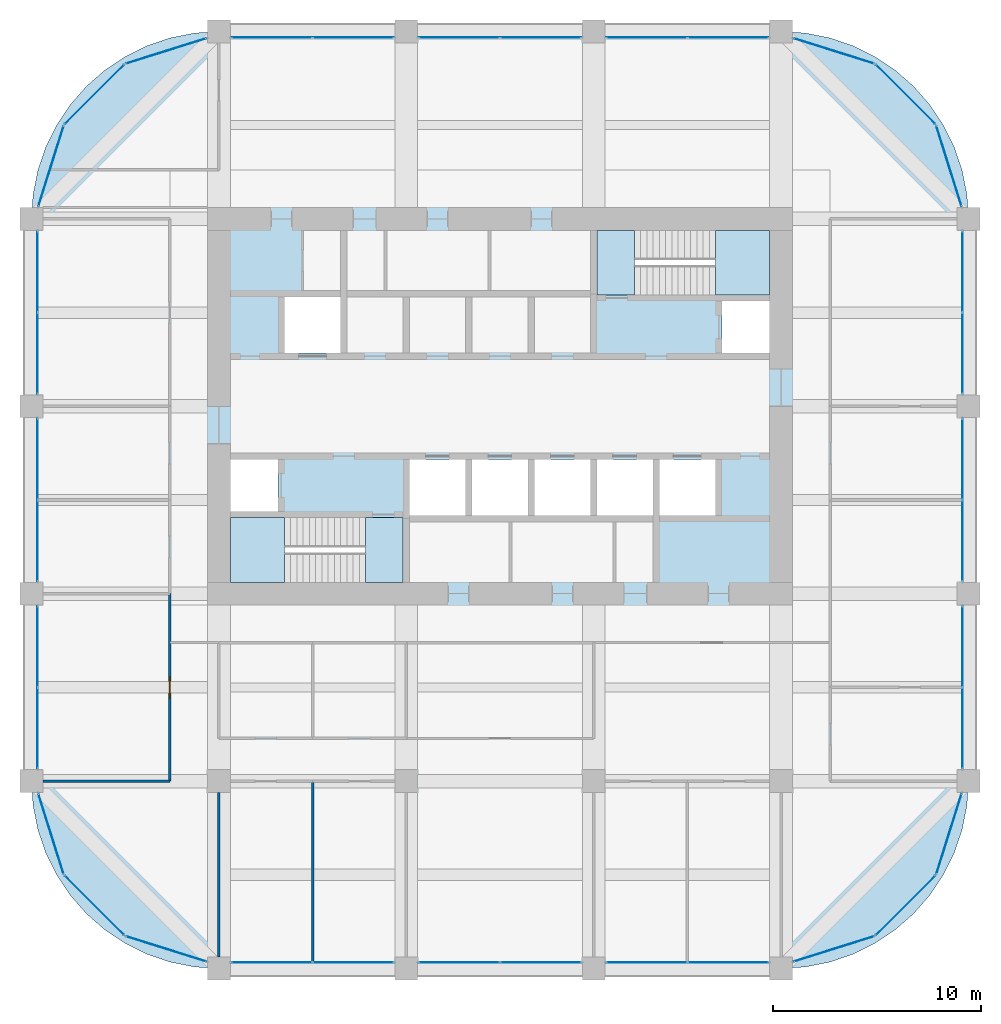
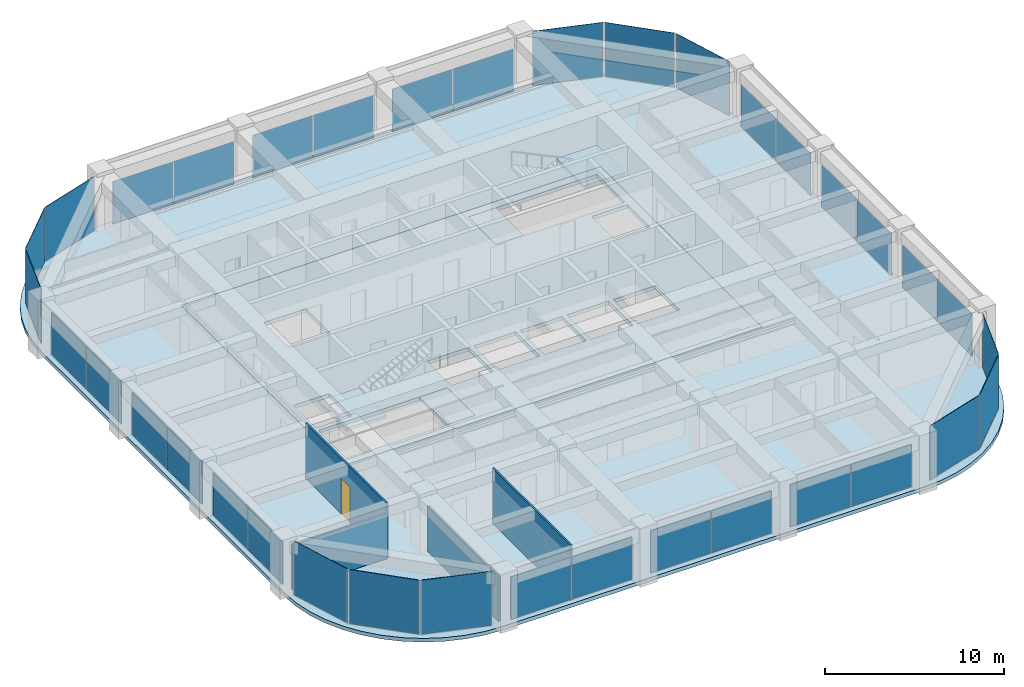
# One storey, part 40 of 45: 36 plates, 6 slabs, 4 walls, 1 door, 1 opening, 26 elements without a shape of their own.
"""IFC4 building model written with IfcOpenShell, lengths in metres."""

from ifc_helpers import new_model, si_unit, direction, frame, frame_2d, origin, origin_2d, place, context, subcontext, project, spatial, polyline, rectangle, outline, extrude, material, layer, layer_set, type_object, element, fill, aggregate, save


model = new_model("IFC4")

# Units and contexts
model_context = context("Model", 3, precision=1e-05, world=origin(), true_north=direction((0.0, 1.0)))
body_context = subcontext(model_context, "Body", "Model", "MODEL_VIEW")
ifc_project = project(units=[si_unit("LENGTHUNIT", "METRE"), si_unit("AREAUNIT", "SQUARE_METRE"), si_unit("VOLUMEUNIT", "CUBIC_METRE"), si_unit("PLANEANGLEUNIT", "RADIAN"), si_unit("MASSUNIT", "GRAM", prefix="KILO")], contexts=[model_context])

# Site, building, storey
site_placement = place(None, origin())
site = spatial("IfcSite", under=ifc_project, at=site_placement, CompositionType="ELEMENT")
building_placement = place(site_placement, origin())
building = spatial("IfcBuilding", under=site, at=building_placement, Name="Zorevar Civic Tower", CompositionType="ELEMENT")
storey_placement = place(building_placement, frame((0.0, 0.0, 303.39990234375)))
storey = spatial("IfcBuildingStorey", under=building, at=storey_placement, Name="L74", CompositionType="ELEMENT", Elevation=303.39990234375)

# Curtain wall, plates
ifc_material_1 = material(Name="Dark grey solar-control glass in black aluminium frame", Category="aluminium")
curtain_wall_type = type_object("IfcCurtainWallType", Name="Curtain wall CW5 top zone", PredefinedType="NOTDEFINED", material=ifc_material_1)
curtain_wall_1_placement = place(storey_placement, origin())
curtain_wall_1 = element("IfcCurtainWall", 1, at=curtain_wall_1_placement, inside=storey, type_object=curtain_wall_type, Name="CW5 L74", PredefinedType="NOTDEFINED")
ifc_material_2 = material(Name="Dark grey solar-control glass", Category="glass")
ifc_layer_1 = layer(ifc_material_2, 0.028076171875)
ifc_layer_set_1 = layer_set([ifc_layer_1], Name="CW5 panel 28")
plate_type = type_object("IfcPlateType", Name="CW5 panel 28", PredefinedType="CURTAIN_PANEL", material=ifc_layer_set_1)
plate_1_placement = place(storey_placement, frame((20.5400390625, 0.300048828125, 0.06005859375), z_axis=(0.0, 0.0, 1.0), x_axis=(1.0, 0.0, 0.0)))
plate_1 = element("IfcPlate", 2, at=plate_1_placement, type_object=plate_type, Name="CW5 panel 1.1", PredefinedType="CURTAIN_PANEL", context=body_context, shape_type="SweptSolid", body=[
    extrude(rectangle(XDim=3.860107421875, YDim=0.028076171875, at=origin_2d()), origin(), (0.0, 0.0, 1.0), 2.889892578125),
])
plate_2_placement = place(storey_placement, frame((24.4599609375, 0.300048828125, 0.06005859375), z_axis=(0.0, 0.0, 1.0), x_axis=(1.0, 0.0, 0.0)))
plate_2 = element("IfcPlate", 3, at=plate_2_placement, type_object=plate_type, Name="CW5 panel 2.1", PredefinedType="CURTAIN_PANEL", context=body_context, shape_type="SweptSolid", body=[
    extrude(rectangle(XDim=3.860107421875, YDim=0.028076171875, at=origin_2d()), origin(), (0.0, 0.0, 1.0), 2.889892578125),
])
aggregate(curtain_wall_1, [plate_1, plate_2])

curtain_wall_2_placement = place(storey_placement, origin())
curtain_wall_2 = element("IfcCurtainWall", 4, at=curtain_wall_2_placement, inside=storey, type_object=curtain_wall_type, Name="CW5 L74", PredefinedType="NOTDEFINED")
plate_3_placement = place(storey_placement, frame((20.5400390625, 44.699951171875, 0.06005859375), z_axis=(0.0, 0.0, 1.0), x_axis=(1.0, 0.0, 0.0)))
plate_3 = element("IfcPlate", 5, at=plate_3_placement, type_object=plate_type, Name="CW5 panel 1.1", PredefinedType="CURTAIN_PANEL", context=body_context, shape_type="SweptSolid", body=[
    extrude(rectangle(XDim=3.860107421875, YDim=0.028076171875, at=origin_2d()), origin(), (0.0, 0.0, 1.0), 2.889892578125),
])
plate_4_placement = place(storey_placement, frame((24.4599609375, 44.699951171875, 0.06005859375), z_axis=(0.0, 0.0, 1.0), x_axis=(1.0, 0.0, 0.0)))
plate_4 = element("IfcPlate", 6, at=plate_4_placement, type_object=plate_type, Name="CW5 panel 2.1", PredefinedType="CURTAIN_PANEL", context=body_context, shape_type="SweptSolid", body=[
    extrude(rectangle(XDim=3.860107421875, YDim=0.028076171875, at=origin_2d()), origin(), (0.0, 0.0, 1.0), 2.889892578125),
])
aggregate(curtain_wall_2, [plate_3, plate_4])

curtain_wall_3_placement = place(storey_placement, origin())
curtain_wall_3 = element("IfcCurtainWall", 7, at=curtain_wall_3_placement, inside=storey, type_object=curtain_wall_type, Name="CW5 L74", PredefinedType="NOTDEFINED")
plate_5_placement = place(storey_placement, frame((29.5400390625, 0.300048828125, 0.06005859375), z_axis=(0.0, 0.0, 1.0), x_axis=(1.0, 0.0, 0.0)))
plate_5 = element("IfcPlate", 8, at=plate_5_placement, type_object=plate_type, Name="CW5 panel 1.1", PredefinedType="CURTAIN_PANEL", context=body_context, shape_type="SweptSolid", body=[
    extrude(rectangle(XDim=3.860107421875, YDim=0.028076171875, at=origin_2d()), origin(), (0.0, 0.0, 1.0), 2.889892578125),
])
plate_6_placement = place(storey_placement, frame((33.4599609375, 0.300048828125, 0.06005859375), z_axis=(0.0, 0.0, 1.0), x_axis=(1.0, 0.0, 0.0)))
plate_6 = element("IfcPlate", 9, at=plate_6_placement, type_object=plate_type, Name="CW5 panel 2.1", PredefinedType="CURTAIN_PANEL", context=body_context, shape_type="SweptSolid", body=[
    extrude(rectangle(XDim=3.860107421875, YDim=0.028076171875, at=origin_2d()), origin(), (0.0, 0.0, 1.0), 2.889892578125),
])
aggregate(curtain_wall_3, [plate_5, plate_6])

curtain_wall_4_placement = place(storey_placement, origin())
curtain_wall_4 = element("IfcCurtainWall", 10, at=curtain_wall_4_placement, inside=storey, type_object=curtain_wall_type, Name="CW5 L74", PredefinedType="NOTDEFINED")
plate_7_placement = place(storey_placement, frame((29.5400390625, 44.699951171875, 0.06005859375), z_axis=(0.0, 0.0, 1.0), x_axis=(1.0, 0.0, 0.0)))
plate_7 = element("IfcPlate", 11, at=plate_7_placement, type_object=plate_type, Name="CW5 panel 1.1", PredefinedType="CURTAIN_PANEL", context=body_context, shape_type="SweptSolid", body=[
    extrude(rectangle(XDim=3.860107421875, YDim=0.028076171875, at=origin_2d()), origin(), (0.0, 0.0, 1.0), 2.889892578125),
])
plate_8_placement = place(storey_placement, frame((33.4599609375, 44.699951171875, 0.06005859375), z_axis=(0.0, 0.0, 1.0), x_axis=(1.0, 0.0, 0.0)))
plate_8 = element("IfcPlate", 12, at=plate_8_placement, type_object=plate_type, Name="CW5 panel 2.1", PredefinedType="CURTAIN_PANEL", context=body_context, shape_type="SweptSolid", body=[
    extrude(rectangle(XDim=3.860107421875, YDim=0.028076171875, at=origin_2d()), origin(), (0.0, 0.0, 1.0), 2.889892578125),
])
aggregate(curtain_wall_4, [plate_7, plate_8])

curtain_wall_5_placement = place(storey_placement, origin())
curtain_wall_5 = element("IfcCurtainWall", 13, at=curtain_wall_5_placement, inside=storey, type_object=curtain_wall_type, Name="CW5 L74", PredefinedType="NOTDEFINED")
plate_9_placement = place(storey_placement, frame((38.5400390625, 0.300048828125, 0.06005859375), z_axis=(0.0, 0.0, 1.0), x_axis=(1.0, 0.0, 0.0)))
plate_9 = element("IfcPlate", 14, at=plate_9_placement, type_object=plate_type, Name="CW5 panel 1.1", PredefinedType="CURTAIN_PANEL", context=body_context, shape_type="SweptSolid", body=[
    extrude(rectangle(XDim=3.860107421875, YDim=0.028076171875, at=origin_2d()), origin(), (0.0, 0.0, 1.0), 2.889892578125),
])
plate_10_placement = place(storey_placement, frame((42.4599609375, 0.300048828125, 0.06005859375), z_axis=(0.0, 0.0, 1.0), x_axis=(1.0, 0.0, 0.0)))
plate_10 = element("IfcPlate", 15, at=plate_10_placement, type_object=plate_type, Name="CW5 panel 2.1", PredefinedType="CURTAIN_PANEL", context=body_context, shape_type="SweptSolid", body=[
    extrude(rectangle(XDim=3.860107421875, YDim=0.028076171875, at=origin_2d()), origin(), (0.0, 0.0, 1.0), 2.889892578125),
])
aggregate(curtain_wall_5, [plate_9, plate_10])

curtain_wall_6_placement = place(storey_placement, origin())
curtain_wall_6 = element("IfcCurtainWall", 16, at=curtain_wall_6_placement, inside=storey, type_object=curtain_wall_type, Name="CW5 L74", PredefinedType="NOTDEFINED")
plate_11_placement = place(storey_placement, frame((38.5400390625, 44.699951171875, 0.06005859375), z_axis=(0.0, 0.0, 1.0), x_axis=(1.0, 0.0, 0.0)))
plate_11 = element("IfcPlate", 17, at=plate_11_placement, type_object=plate_type, Name="CW5 panel 1.1", PredefinedType="CURTAIN_PANEL", context=body_context, shape_type="SweptSolid", body=[
    extrude(rectangle(XDim=3.860107421875, YDim=0.028076171875, at=origin_2d()), origin(), (0.0, 0.0, 1.0), 2.889892578125),
])
plate_12_placement = place(storey_placement, frame((42.4599609375, 44.699951171875, 0.06005859375), z_axis=(0.0, 0.0, 1.0), x_axis=(1.0, 0.0, 0.0)))
plate_12 = element("IfcPlate", 18, at=plate_12_placement, type_object=plate_type, Name="CW5 panel 2.1", PredefinedType="CURTAIN_PANEL", context=body_context, shape_type="SweptSolid", body=[
    extrude(rectangle(XDim=3.860107421875, YDim=0.028076171875, at=origin_2d()), origin(), (0.0, 0.0, 1.0), 2.889892578125),
])
aggregate(curtain_wall_6, [plate_11, plate_12])

curtain_wall_7_placement = place(storey_placement, origin())
curtain_wall_7 = element("IfcCurtainWall", 19, at=curtain_wall_7_placement, inside=storey, type_object=curtain_wall_type, Name="CW5 L74", PredefinedType="NOTDEFINED")
plate_13_placement = place(storey_placement, frame((9.300048828125, 11.5400390625, 0.06005859375), z_axis=(0.0, 0.0, 1.0), x_axis=(0.0, 1.0, 0.0)))
plate_13 = element("IfcPlate", 20, at=plate_13_placement, type_object=plate_type, Name="CW5 panel 1.1", PredefinedType="CURTAIN_PANEL", context=body_context, shape_type="SweptSolid", body=[
    extrude(rectangle(XDim=3.860107421875, YDim=0.028076171875, at=origin_2d()), origin(), (0.0, 0.0, 1.0), 2.889892578125),
])
plate_14_placement = place(storey_placement, frame((9.300048828125, 15.4599609375, 0.06005859375), z_axis=(0.0, 0.0, 1.0), x_axis=(0.0, 1.0, 0.0)))
plate_14 = element("IfcPlate", 21, at=plate_14_placement, type_object=plate_type, Name="CW5 panel 2.1", PredefinedType="CURTAIN_PANEL", context=body_context, shape_type="SweptSolid", body=[
    extrude(rectangle(XDim=3.860107421875, YDim=0.028076171875, at=origin_2d()), origin(), (0.0, 0.0, 1.0), 2.889892578125),
])
aggregate(curtain_wall_7, [plate_13, plate_14])

curtain_wall_8_placement = place(storey_placement, origin())
curtain_wall_8 = element("IfcCurtainWall", 22, at=curtain_wall_8_placement, inside=storey, type_object=curtain_wall_type, Name="CW5 L74", PredefinedType="NOTDEFINED")
plate_15_placement = place(storey_placement, frame((53.699951171875, 11.5400390625, 0.06005859375), z_axis=(0.0, 0.0, 1.0), x_axis=(0.0, 1.0, 0.0)))
plate_15 = element("IfcPlate", 23, at=plate_15_placement, type_object=plate_type, Name="CW5 panel 1.1", PredefinedType="CURTAIN_PANEL", context=body_context, shape_type="SweptSolid", body=[
    extrude(rectangle(XDim=3.860107421875, YDim=0.028076171875, at=origin_2d()), origin(), (0.0, 0.0, 1.0), 2.889892578125),
])
plate_16_placement = place(storey_placement, frame((53.699951171875, 15.4599609375, 0.06005859375), z_axis=(0.0, 0.0, 1.0), x_axis=(0.0, 1.0, 0.0)))
plate_16 = element("IfcPlate", 24, at=plate_16_placement, type_object=plate_type, Name="CW5 panel 2.1", PredefinedType="CURTAIN_PANEL", context=body_context, shape_type="SweptSolid", body=[
    extrude(rectangle(XDim=3.860107421875, YDim=0.028076171875, at=origin_2d()), origin(), (0.0, 0.0, 1.0), 2.889892578125),
])
aggregate(curtain_wall_8, [plate_15, plate_16])

curtain_wall_9_placement = place(storey_placement, origin())
curtain_wall_9 = element("IfcCurtainWall", 25, at=curtain_wall_9_placement, inside=storey, type_object=curtain_wall_type, Name="CW5 L74", PredefinedType="NOTDEFINED")
plate_17_placement = place(storey_placement, frame((9.300048828125, 20.5400390625, 0.06005859375), z_axis=(0.0, 0.0, 1.0), x_axis=(0.0, 1.0, 0.0)))
plate_17 = element("IfcPlate", 26, at=plate_17_placement, type_object=plate_type, Name="CW5 panel 1.1", PredefinedType="CURTAIN_PANEL", context=body_context, shape_type="SweptSolid", body=[
    extrude(rectangle(XDim=3.860107421875, YDim=0.028076171875, at=origin_2d()), origin(), (0.0, 0.0, 1.0), 2.889892578125),
])
plate_18_placement = place(storey_placement, frame((9.300048828125, 24.4599609375, 0.06005859375), z_axis=(0.0, 0.0, 1.0), x_axis=(0.0, 1.0, 0.0)))
plate_18 = element("IfcPlate", 27, at=plate_18_placement, type_object=plate_type, Name="CW5 panel 2.1", PredefinedType="CURTAIN_PANEL", context=body_context, shape_type="SweptSolid", body=[
    extrude(rectangle(XDim=3.860107421875, YDim=0.028076171875, at=origin_2d()), origin(), (0.0, 0.0, 1.0), 2.889892578125),
])
aggregate(curtain_wall_9, [plate_17, plate_18])

curtain_wall_10_placement = place(storey_placement, origin())
curtain_wall_10 = element("IfcCurtainWall", 28, at=curtain_wall_10_placement, inside=storey, type_object=curtain_wall_type, Name="CW5 L74", PredefinedType="NOTDEFINED")
plate_19_placement = place(storey_placement, frame((53.699951171875, 20.5400390625, 0.06005859375), z_axis=(0.0, 0.0, 1.0), x_axis=(0.0, 1.0, 0.0)))
plate_19 = element("IfcPlate", 29, at=plate_19_placement, type_object=plate_type, Name="CW5 panel 1.1", PredefinedType="CURTAIN_PANEL", context=body_context, shape_type="SweptSolid", body=[
    extrude(rectangle(XDim=3.860107421875, YDim=0.028076171875, at=origin_2d()), origin(), (0.0, 0.0, 1.0), 2.889892578125),
])
plate_20_placement = place(storey_placement, frame((53.699951171875, 24.4599609375, 0.06005859375), z_axis=(0.0, 0.0, 1.0), x_axis=(0.0, 1.0, 0.0)))
plate_20 = element("IfcPlate", 30, at=plate_20_placement, type_object=plate_type, Name="CW5 panel 2.1", PredefinedType="CURTAIN_PANEL", context=body_context, shape_type="SweptSolid", body=[
    extrude(rectangle(XDim=3.860107421875, YDim=0.028076171875, at=origin_2d()), origin(), (0.0, 0.0, 1.0), 2.889892578125),
])
aggregate(curtain_wall_10, [plate_19, plate_20])

curtain_wall_11_placement = place(storey_placement, origin())
curtain_wall_11 = element("IfcCurtainWall", 31, at=curtain_wall_11_placement, inside=storey, type_object=curtain_wall_type, Name="CW5 L74", PredefinedType="NOTDEFINED")
plate_21_placement = place(storey_placement, frame((9.300048828125, 29.5400390625, 0.06005859375), z_axis=(0.0, 0.0, 1.0), x_axis=(0.0, 1.0, 0.0)))
plate_21 = element("IfcPlate", 32, at=plate_21_placement, type_object=plate_type, Name="CW5 panel 1.1", PredefinedType="CURTAIN_PANEL", context=body_context, shape_type="SweptSolid", body=[
    extrude(rectangle(XDim=3.860107421875, YDim=0.028076171875, at=origin_2d()), origin(), (0.0, 0.0, 1.0), 2.889892578125),
])
plate_22_placement = place(storey_placement, frame((9.300048828125, 33.4599609375, 0.06005859375), z_axis=(0.0, 0.0, 1.0), x_axis=(0.0, 1.0, 0.0)))
plate_22 = element("IfcPlate", 33, at=plate_22_placement, type_object=plate_type, Name="CW5 panel 2.1", PredefinedType="CURTAIN_PANEL", context=body_context, shape_type="SweptSolid", body=[
    extrude(rectangle(XDim=3.860107421875, YDim=0.028076171875, at=origin_2d()), origin(), (0.0, 0.0, 1.0), 2.889892578125),
])
aggregate(curtain_wall_11, [plate_21, plate_22])

curtain_wall_12_placement = place(storey_placement, origin())
curtain_wall_12 = element("IfcCurtainWall", 34, at=curtain_wall_12_placement, inside=storey, type_object=curtain_wall_type, Name="CW5 L74", PredefinedType="NOTDEFINED")
plate_23_placement = place(storey_placement, frame((53.699951171875, 29.5400390625, 0.06005859375), z_axis=(0.0, 0.0, 1.0), x_axis=(0.0, 1.0, 0.0)))
plate_23 = element("IfcPlate", 35, at=plate_23_placement, type_object=plate_type, Name="CW5 panel 1.1", PredefinedType="CURTAIN_PANEL", context=body_context, shape_type="SweptSolid", body=[
    extrude(rectangle(XDim=3.860107421875, YDim=0.028076171875, at=origin_2d()), origin(), (0.0, 0.0, 1.0), 2.889892578125),
])
plate_24_placement = place(storey_placement, frame((53.699951171875, 33.4599609375, 0.06005859375), z_axis=(0.0, 0.0, 1.0), x_axis=(0.0, 1.0, 0.0)))
plate_24 = element("IfcPlate", 36, at=plate_24_placement, type_object=plate_type, Name="CW5 panel 2.1", PredefinedType="CURTAIN_PANEL", context=body_context, shape_type="SweptSolid", body=[
    extrude(rectangle(XDim=3.860107421875, YDim=0.028076171875, at=origin_2d()), origin(), (0.0, 0.0, 1.0), 2.889892578125),
])
aggregate(curtain_wall_12, [plate_23, plate_24])

# Curtain wall, plate
curtain_wall_13_placement = place(storey_placement, origin())
curtain_wall_13 = element("IfcCurtainWall", 37, at=curtain_wall_13_placement, inside=storey, type_object=curtain_wall_type, Name="CW5 L74", PredefinedType="NOTDEFINED")
plate_25_placement = place(storey_placement, frame((47.52880859375, 0.938232421875, 0.06005859375), z_axis=(0.0, 0.0, 1.0), x_axis=(0.954153437674, 0.299317920238, 0.0)))
plate_25 = element("IfcPlate", 38, at=plate_25_placement, type_object=plate_type, Name="CW5 panel 1.1", PredefinedType="CURTAIN_PANEL", context=body_context, shape_type="SweptSolid", body=[
    extrude(rectangle(XDim=4.028076171875, YDim=0.028076171875, at=origin_2d()), origin(), (0.0, 0.0, 1.0), 3.68994140625),
])
aggregate(curtain_wall_13, [plate_25])

curtain_wall_14_placement = place(storey_placement, origin())
curtain_wall_14 = element("IfcCurtainWall", 39, at=curtain_wall_14_placement, inside=storey, type_object=curtain_wall_type, Name="CW5 L74", PredefinedType="NOTDEFINED")
plate_26_placement = place(storey_placement, frame((50.974365234375, 3.025634765625, 0.06005859375), z_axis=(0.0, 0.0, 1.0), x_axis=(0.707106781187, 0.707106781187, 0.0)))
plate_26 = element("IfcPlate", 40, at=plate_26_placement, type_object=plate_type, Name="CW5 panel 1.1", PredefinedType="CURTAIN_PANEL", context=body_context, shape_type="SweptSolid", body=[
    extrude(rectangle(XDim=4.028076171875, YDim=0.028076171875, at=origin_2d()), origin(), (0.0, 0.0, 1.0), 3.68994140625),
])
aggregate(curtain_wall_14, [plate_26])

curtain_wall_15_placement = place(storey_placement, origin())
curtain_wall_15 = element("IfcCurtainWall", 41, at=curtain_wall_15_placement, inside=storey, type_object=curtain_wall_type, Name="CW5 L74", PredefinedType="NOTDEFINED")
plate_27_placement = place(storey_placement, frame((53.061767578125, 6.47119140625, 0.06005859375), z_axis=(0.0, 0.0, 1.0), x_axis=(0.299317920238, 0.954153437674, 0.0)))
plate_27 = element("IfcPlate", 42, at=plate_27_placement, type_object=plate_type, Name="CW5 panel 1.1", PredefinedType="CURTAIN_PANEL", context=body_context, shape_type="SweptSolid", body=[
    extrude(rectangle(XDim=4.028076171875, YDim=0.028076171875, at=origin_2d()), origin(), (0.0, 0.0, 1.0), 3.68994140625),
])
aggregate(curtain_wall_15, [plate_27])

curtain_wall_16_placement = place(storey_placement, origin())
curtain_wall_16 = element("IfcCurtainWall", 43, at=curtain_wall_16_placement, inside=storey, type_object=curtain_wall_type, Name="CW5 L74", PredefinedType="NOTDEFINED")
plate_28_placement = place(storey_placement, frame((53.061767578125, 38.52880859375, 0.06005859375), z_axis=(0.0, 0.0, 1.0), x_axis=(-0.299317920238, 0.954153437674, 0.0)))
plate_28 = element("IfcPlate", 44, at=plate_28_placement, type_object=plate_type, Name="CW5 panel 1.1", PredefinedType="CURTAIN_PANEL", context=body_context, shape_type="SweptSolid", body=[
    extrude(rectangle(XDim=4.028076171875, YDim=0.028076171875, at=origin_2d()), origin(), (0.0, 0.0, 1.0), 3.68994140625),
])
aggregate(curtain_wall_16, [plate_28])

curtain_wall_17_placement = place(storey_placement, origin())
curtain_wall_17 = element("IfcCurtainWall", 45, at=curtain_wall_17_placement, inside=storey, type_object=curtain_wall_type, Name="CW5 L74", PredefinedType="NOTDEFINED")
plate_29_placement = place(storey_placement, frame((50.974365234375, 41.974365234375, 0.06005859375), z_axis=(0.0, 0.0, 1.0), x_axis=(-0.707106781187, 0.707106781187, 0.0)))
plate_29 = element("IfcPlate", 46, at=plate_29_placement, type_object=plate_type, Name="CW5 panel 1.1", PredefinedType="CURTAIN_PANEL", context=body_context, shape_type="SweptSolid", body=[
    extrude(rectangle(XDim=4.028076171875, YDim=0.028076171875, at=origin_2d()), origin(), (0.0, 0.0, 1.0), 3.68994140625),
])
aggregate(curtain_wall_17, [plate_29])

curtain_wall_18_placement = place(storey_placement, origin())
curtain_wall_18 = element("IfcCurtainWall", 47, at=curtain_wall_18_placement, inside=storey, type_object=curtain_wall_type, Name="CW5 L74", PredefinedType="NOTDEFINED")
plate_30_placement = place(storey_placement, frame((47.52880859375, 44.061767578125, 0.06005859375), z_axis=(0.0, 0.0, 1.0), x_axis=(-0.954153437674, 0.299317920238, 0.0)))
plate_30 = element("IfcPlate", 48, at=plate_30_placement, type_object=plate_type, Name="CW5 panel 1.1", PredefinedType="CURTAIN_PANEL", context=body_context, shape_type="SweptSolid", body=[
    extrude(rectangle(XDim=4.028076171875, YDim=0.028076171875, at=origin_2d()), origin(), (0.0, 0.0, 1.0), 3.68994140625),
])
aggregate(curtain_wall_18, [plate_30])

curtain_wall_19_placement = place(storey_placement, origin())
curtain_wall_19 = element("IfcCurtainWall", 49, at=curtain_wall_19_placement, inside=storey, type_object=curtain_wall_type, Name="CW5 L74", PredefinedType="NOTDEFINED")
plate_31_placement = place(storey_placement, frame((15.47119140625, 44.061767578125, 0.06005859375), z_axis=(0.0, 0.0, 1.0), x_axis=(-0.954153437674, -0.299317920238, 0.0)))
plate_31 = element("IfcPlate", 50, at=plate_31_placement, type_object=plate_type, Name="CW5 panel 1.1", PredefinedType="CURTAIN_PANEL", context=body_context, shape_type="SweptSolid", body=[
    extrude(rectangle(XDim=4.028076171875, YDim=0.028076171875, at=origin_2d()), origin(), (0.0, 0.0, 1.0), 3.68994140625),
])
aggregate(curtain_wall_19, [plate_31])

curtain_wall_20_placement = place(storey_placement, origin())
curtain_wall_20 = element("IfcCurtainWall", 51, at=curtain_wall_20_placement, inside=storey, type_object=curtain_wall_type, Name="CW5 L74", PredefinedType="NOTDEFINED")
plate_32_placement = place(storey_placement, frame((12.025634765625, 41.974365234375, 0.06005859375), z_axis=(0.0, 0.0, 1.0), x_axis=(-0.707106781187, -0.707106781187, 0.0)))
plate_32 = element("IfcPlate", 52, at=plate_32_placement, type_object=plate_type, Name="CW5 panel 1.1", PredefinedType="CURTAIN_PANEL", context=body_context, shape_type="SweptSolid", body=[
    extrude(rectangle(XDim=4.028076171875, YDim=0.028076171875, at=origin_2d()), origin(), (0.0, 0.0, 1.0), 3.68994140625),
])
aggregate(curtain_wall_20, [plate_32])

curtain_wall_21_placement = place(storey_placement, origin())
curtain_wall_21 = element("IfcCurtainWall", 53, at=curtain_wall_21_placement, inside=storey, type_object=curtain_wall_type, Name="CW5 L74", PredefinedType="NOTDEFINED")
plate_33_placement = place(storey_placement, frame((9.938232421875, 38.52880859375, 0.06005859375), z_axis=(0.0, 0.0, 1.0), x_axis=(-0.299317920238, -0.954153437674, 0.0)))
plate_33 = element("IfcPlate", 54, at=plate_33_placement, type_object=plate_type, Name="CW5 panel 1.1", PredefinedType="CURTAIN_PANEL", context=body_context, shape_type="SweptSolid", body=[
    extrude(rectangle(XDim=4.028076171875, YDim=0.028076171875, at=origin_2d()), origin(), (0.0, 0.0, 1.0), 3.68994140625),
])
aggregate(curtain_wall_21, [plate_33])

curtain_wall_22_placement = place(storey_placement, origin())
curtain_wall_22 = element("IfcCurtainWall", 55, at=curtain_wall_22_placement, inside=storey, type_object=curtain_wall_type, Name="CW5 L74", PredefinedType="NOTDEFINED")
plate_34_placement = place(storey_placement, frame((9.938232421875, 6.47119140625, 0.06005859375), z_axis=(0.0, 0.0, 1.0), x_axis=(0.299317920238, -0.954153437674, 0.0)))
plate_34 = element("IfcPlate", 56, at=plate_34_placement, type_object=plate_type, Name="CW5 panel 1.1", PredefinedType="CURTAIN_PANEL", context=body_context, shape_type="SweptSolid", body=[
    extrude(rectangle(XDim=4.028076171875, YDim=0.028076171875, at=origin_2d()), origin(), (0.0, 0.0, 1.0), 3.68994140625),
])
aggregate(curtain_wall_22, [plate_34])

curtain_wall_23_placement = place(storey_placement, origin())
curtain_wall_23 = element("IfcCurtainWall", 57, at=curtain_wall_23_placement, inside=storey, type_object=curtain_wall_type, Name="CW5 L74", PredefinedType="NOTDEFINED")
plate_35_placement = place(storey_placement, frame((12.025634765625, 3.025634765625, 0.06005859375), z_axis=(0.0, 0.0, 1.0), x_axis=(0.707106781187, -0.707106781187, 0.0)))
plate_35 = element("IfcPlate", 58, at=plate_35_placement, type_object=plate_type, Name="CW5 panel 1.1", PredefinedType="CURTAIN_PANEL", context=body_context, shape_type="SweptSolid", body=[
    extrude(rectangle(XDim=4.028076171875, YDim=0.028076171875, at=origin_2d()), origin(), (0.0, 0.0, 1.0), 3.68994140625),
])
aggregate(curtain_wall_23, [plate_35])

curtain_wall_24_placement = place(storey_placement, origin())
curtain_wall_24 = element("IfcCurtainWall", 59, at=curtain_wall_24_placement, inside=storey, type_object=curtain_wall_type, Name="CW5 L74", PredefinedType="NOTDEFINED")
plate_36_placement = place(storey_placement, frame((15.47119140625, 0.938232421875, 0.06005859375), z_axis=(0.0, 0.0, 1.0), x_axis=(0.954153437674, -0.299317920238, 0.0)))
plate_36 = element("IfcPlate", 60, at=plate_36_placement, type_object=plate_type, Name="CW5 panel 1.1", PredefinedType="CURTAIN_PANEL", context=body_context, shape_type="SweptSolid", body=[
    extrude(rectangle(XDim=4.028076171875, YDim=0.028076171875, at=origin_2d()), origin(), (0.0, 0.0, 1.0), 3.68994140625),
])
aggregate(curtain_wall_24, [plate_36])

# Slabs
ifc_material_3 = material(Name="Concrete C40/50", Category="concrete")
ifc_layer_2 = layer(ifc_material_3, 0.25)
ifc_layer_set_2 = layer_set([ifc_layer_2], Name="Floor slab 250")
slab_type_1 = type_object("IfcSlabType", Name="Floor slab 250", PredefinedType="FLOOR", material=ifc_layer_set_2)
slab_1_placement = place(storey_placement, frame((0.0, 0.0, -0.25)))
element("IfcSlab", 61, at=slab_1_placement, inside=storey, type_object=slab_type_1, Name="Floor slab L74", PredefinedType="FLOOR", context=body_context, shape_type="SweptSolid", body=[
    extrude(outline(polyline([(45.0, 0.0), (46.1748046875, 0.076904296875), (47.329345703125, 0.306640625), (48.444091796875, 0.68505859375), (49.5, 1.205810546875), (50.478759765625, 1.85986328125), (51.364013671875, 2.635986328125), (52.14013671875, 3.521240234375), (52.794189453125, 4.5), (53.31494140625, 5.555908203125), (53.693359375, 6.670654296875), (53.923095703125, 7.8251953125), (54.0, 9.0), (54.0, 36.0), (53.923095703125, 37.1748046875), (53.693359375, 38.329345703125), (53.31494140625, 39.444091796875), (52.794189453125, 40.5), (52.14013671875, 41.478759765625), (51.364013671875, 42.364013671875), (50.478759765625, 43.14013671875), (49.5, 43.794189453125), (48.444091796875, 44.31494140625), (47.329345703125, 44.693359375), (46.1748046875, 44.923095703125), (45.0, 45.0), (18.0, 45.0), (16.8251953125, 44.923095703125), (15.670654296875, 44.693359375), (14.555908203125, 44.31494140625), (13.5, 43.794189453125), (12.521240234375, 43.14013671875), (11.635986328125, 42.364013671875), (10.85986328125, 41.478759765625), (10.205810546875, 40.5), (9.68505859375, 39.444091796875), (9.306640625, 38.329345703125), (9.076904296875, 37.1748046875), (9.0, 36.0), (9.0, 9.0), (9.076904296875, 7.8251953125), (9.306640625, 6.670654296875), (9.68505859375, 5.555908203125), (10.205810546875, 4.5), (10.85986328125, 3.521240234375), (11.635986328125, 2.635986328125), (12.521240234375, 1.85986328125), (13.5, 1.205810546875), (14.555908203125, 0.68505859375), (15.670654296875, 0.306640625), (16.8251953125, 0.076904296875), (18.0, 0.0), (45.0, 0.0)]), holes=[polyline([(18.0, 18.0), (45.0, 18.0), (45.0, 36.0), (18.0, 36.0), (18.0, 18.0)])]), origin(), (0.0, 0.0, 1.0), 0.25),
])
slab_2_placement = place(storey_placement, frame((0.0, 0.0, -0.25)))
element("IfcSlab", 62, at=slab_2_placement, inside=storey, type_object=slab_type_1, Name="Core floor L74", PredefinedType="FLOOR", context=body_context, shape_type="SweptSolid", body=[
    extrude(outline(polyline([(18.0, 18.0), (45.0, 18.0), (45.0, 36.0), (18.0, 36.0), (18.0, 18.0)]), holes=[polyline([(18.550048828125, 18.550048828125), (26.85009765625, 18.550048828125), (26.85009765625, 21.64990234375), (18.550048828125, 21.64990234375), (18.550048828125, 18.550048828125)]), polyline([(36.14990234375, 32.35009765625), (44.449951171875, 32.35009765625), (44.449951171875, 35.449951171875), (36.14990234375, 35.449951171875), (36.14990234375, 32.35009765625)]), polyline([(18.550048828125, 21.949951171875), (20.85009765625, 21.949951171875), (20.85009765625, 24.449951171875), (18.550048828125, 24.449951171875), (18.550048828125, 21.949951171875)]), polyline([(42.14990234375, 29.550048828125), (44.449951171875, 29.550048828125), (44.449951171875, 32.050048828125), (42.14990234375, 32.050048828125), (42.14990234375, 29.550048828125)]), polyline([(27.14990234375, 21.75), (29.85009765625, 21.75), (29.85009765625, 24.449951171875), (27.14990234375, 24.449951171875), (27.14990234375, 21.75)]), polyline([(30.14990234375, 21.75), (32.85009765625, 21.75), (32.85009765625, 24.449951171875), (30.14990234375, 24.449951171875), (30.14990234375, 21.75)]), polyline([(33.14990234375, 21.75), (35.85009765625, 21.75), (35.85009765625, 24.449951171875), (33.14990234375, 24.449951171875), (33.14990234375, 21.75)]), polyline([(36.14990234375, 21.75), (38.85009765625, 21.75), (38.85009765625, 24.449951171875), (36.14990234375, 24.449951171875), (36.14990234375, 21.75)]), polyline([(39.14990234375, 21.75), (41.85009765625, 21.75), (41.85009765625, 24.449951171875), (39.14990234375, 24.449951171875), (39.14990234375, 21.75)]), polyline([(21.14990234375, 29.550048828125), (23.85009765625, 29.550048828125), (23.85009765625, 32.25), (21.14990234375, 32.25), (21.14990234375, 29.550048828125)])]), origin(), (0.0, 0.0, 1.0), 0.25),
])

# Stair, slabs
ifc_material_4 = material(Name="Precast concrete C40/50", Category="concrete")
stair_type = type_object("IfcStairType", Name="Stair ST 28R", PredefinedType="HALF_TURN_STAIR", material=ifc_material_4)
stair_1_placement = place(storey_placement, origin())
stair_1 = element("IfcStair", 63, at=stair_1_placement, inside=storey, type_object=stair_type, Name="Stair ST1 L74", PredefinedType="HALF_TURN_STAIR")
ifc_material_5 = material(Name="Concrete C40/50", Category="concrete")
ifc_layer_3 = layer(ifc_material_5, 0.199951171875)
ifc_layer_set_3 = layer_set([ifc_layer_3], Name="Stair landing 200")
slab_type_2 = type_object("IfcSlabType", Name="Stair landing 200", PredefinedType="LANDING", material=ifc_layer_set_3)
slab_3_placement = place(storey_placement, frame((0.0, 0.0, -0.199951171875)))
slab_3 = element("IfcSlab", 64, at=slab_3_placement, type_object=slab_type_2, Name="ST1 landing 1", PredefinedType="LANDING", context=body_context, shape_type="SweptSolid", body=[
    extrude(outline(polyline([(25.050048828125, 18.550048828125), (26.85009765625, 18.550048828125), (26.85009765625, 21.64990234375), (25.050048828125, 21.64990234375), (25.050048828125, 18.550048828125)])), origin(), (0.0, 0.0, 1.0), 0.199951171875),
])
slab_4_placement = place(storey_placement, frame((0.0, 0.0, 1.800048828125)))
slab_4 = element("IfcSlab", 65, at=slab_4_placement, type_object=slab_type_2, Name="ST1 landing 2", PredefinedType="LANDING", context=body_context, shape_type="SweptSolid", body=[
    extrude(outline(polyline([(18.550048828125, 18.550048828125), (21.14990234375, 18.550048828125), (21.14990234375, 21.64990234375), (18.550048828125, 21.64990234375), (18.550048828125, 18.550048828125)])), origin(), (0.0, 0.0, 1.0), 0.199951171875),
])
aggregate(stair_1, [slab_3, slab_4])

stair_2_placement = place(storey_placement, origin())
stair_2 = element("IfcStair", 66, at=stair_2_placement, inside=storey, type_object=stair_type, Name="Stair ST2 L74", PredefinedType="HALF_TURN_STAIR")
slab_5_placement = place(storey_placement, frame((0.0, 0.0, -0.199951171875)))
slab_5 = element("IfcSlab", 67, at=slab_5_placement, type_object=slab_type_2, Name="ST2 landing 1", PredefinedType="LANDING", context=body_context, shape_type="SweptSolid", body=[
    extrude(outline(polyline([(37.949951171875, 32.35009765625), (36.14990234375, 32.35009765625), (36.14990234375, 35.449951171875), (37.949951171875, 35.449951171875), (37.949951171875, 32.35009765625)])), origin(), (0.0, 0.0, 1.0), 0.199951171875),
])
slab_6_placement = place(storey_placement, frame((0.0, 0.0, 1.800048828125)))
slab_6 = element("IfcSlab", 68, at=slab_6_placement, type_object=slab_type_2, Name="ST2 landing 2", PredefinedType="LANDING", context=body_context, shape_type="SweptSolid", body=[
    extrude(outline(polyline([(44.449951171875, 32.35009765625), (41.85009765625, 32.35009765625), (41.85009765625, 35.449951171875), (44.449951171875, 35.449951171875), (44.449951171875, 32.35009765625)])), origin(), (0.0, 0.0, 1.0), 0.199951171875),
])
aggregate(stair_2, [slab_5, slab_6])

# Wall
ifc_material_6 = material(Name="Gypsum board on steel studs", Category="steel")
ifc_layer_4 = layer(ifc_material_6, 0.1201171875)
ifc_layer_set_4 = layer_set([ifc_layer_4], Name="Partition 120")
wall_type = type_object("IfcWallType", Name="Partition 120", PredefinedType="PARTITIONING", material=ifc_layer_set_4)
wall_1_placement = place(storey_placement, frame((9.550048828125, 9.0, 0.0), z_axis=(0.0, 0.0, 1.0), x_axis=(1.0, 0.0, 0.0)))
element("IfcWall", 69, at=wall_1_placement, inside=storey, type_object=wall_type, Name="Partition 120 L74", PredefinedType="PARTITIONING", context=body_context, shape_type="SweptSolid", body=[
    extrude(rectangle(XDim=6.099853515625, YDim=0.1201171875, at=frame_2d((3.0498046875, 0.0))), origin(), (0.0, 0.0, 1.0), 3.050048828125),
])

# Wall, opening, door
wall_2_placement = place(storey_placement, frame((15.64990234375, 9.0, 0.0), z_axis=(0.0, 0.0, 1.0), x_axis=(0.0, 1.0, 0.0)))
wall_2 = element("IfcWall", 70, at=wall_2_placement, inside=storey, type_object=wall_type, Name="Partition 120 L74", PredefinedType="PARTITIONING", context=body_context, shape_type="SweptSolid", body=[
    extrude(rectangle(XDim=9.0, YDim=0.1201171875, at=frame_2d((4.5, 0.0))), origin(), (0.0, 0.0, 1.0), 3.75),
])
opening_placement = place(wall_2_placement, frame((4.0, 0.0, 0.0)))
opening = element("IfcOpeningElement", 71, at=opening_placement, cuts=wall_2, Name="Opening L74.27", PredefinedType="OPENING", context=body_context, shape_type="SweptSolid", body=[
    extrude(rectangle(XDim=1.0, YDim=2.39990234375, at=frame_2d((0.5, 1.199951171875))), frame((0.0, 0.070068359375, 0.0), z_axis=(0.0, -1.0, 0.0), x_axis=(1.0, 0.0, 0.0)), (0.0, 0.0, 1.0), 0.14013671875),
])
ifc_material_7 = material(Name="Timber door set", Category="wood")
door_type = type_object("IfcDoorType", Name="Door D1 1000x2400", OperationType="SINGLE_SWING_LEFT", PredefinedType="DOOR", material=ifc_material_7)
door_placement = place(opening_placement, origin())
door = element("IfcDoor", 72, at=door_placement, inside=storey, type_object=door_type, Name="Door L74 D1", OperationType="SINGLE_SWING_RIGHT", OverallHeight=2.39990234375, OverallWidth=1.0, PredefinedType="DOOR", context=body_context, shape_type="SweptSolid", body=[
    extrude(rectangle(XDim=1.0, YDim=2.39990234375, at=frame_2d((0.5, 1.199951171875))), frame((0.0, 0.02490234375, 0.0), z_axis=(0.0, -1.0, 0.0), x_axis=(1.0, 0.0, 0.0)), (0.0, 0.0, 1.0), 0.050048828125),
])
fill(opening, door)

# Walls
wall_3_placement = place(storey_placement, frame((18.0, 0.550048828125, 0.0), z_axis=(0.0, 0.0, 1.0), x_axis=(0.0, 1.0, 0.0)))
element("IfcWall", 73, at=wall_3_placement, inside=storey, type_object=wall_type, Name="Partition 120 L74", PredefinedType="PARTITIONING", context=body_context, shape_type="SweptSolid", body=[
    extrude(rectangle(XDim=7.89990234375, YDim=0.1201171875, at=frame_2d((3.949951171875, 0.0))), origin(), (0.0, 0.0, 1.0), 3.050048828125),
])
wall_4_placement = place(storey_placement, frame((22.5, 0.31005859375, 0.0), z_axis=(0.0, 0.0, 1.0), x_axis=(0.0, 1.0, 0.0)))
element("IfcWall", 74, at=wall_4_placement, inside=storey, type_object=wall_type, Name="Partition 120 L74", PredefinedType="PARTITIONING", context=body_context, shape_type="SweptSolid", body=[
    extrude(rectangle(XDim=8.68994140625, YDim=0.1201171875, at=frame_2d((4.344970703125, 0.0))), origin(), (0.0, 0.0, 1.0), 3.75),
])

save(model, "model.ifc")
